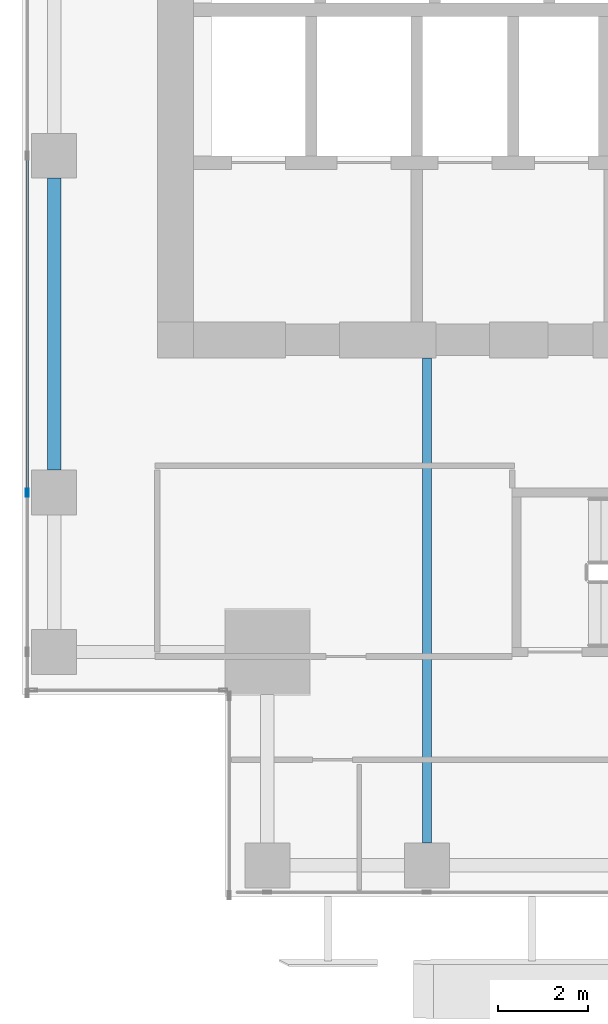
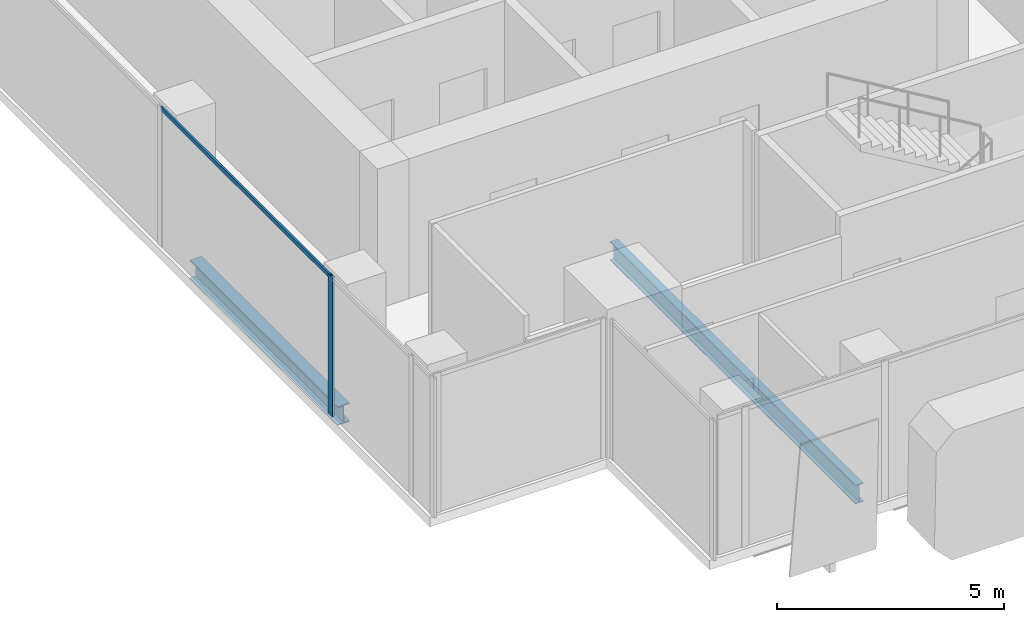
# One storey, part 4 of 40: 2 beams, 2 members, 1 element without a shape of its own.
"""IFC4 building model written with IfcOpenShell, lengths in metres."""

from ifc_helpers import new_model, si_unit, direction, frame, origin, origin_2d, place, context, subcontext, project, spatial, hollow_rectangle, i_section, extrude, source, transform, mapped, material, material_profile, profile_set, type_object, element, aggregate, save


model = new_model("IFC4")

# Units and contexts
model_context = context("Model", 3, precision=1e-05, world=origin(), true_north=direction((0.0, 1.0)))
body_context = subcontext(model_context, "Body", "Model", "MODEL_VIEW")
ifc_project = project(units=[si_unit("LENGTHUNIT", "METRE"), si_unit("AREAUNIT", "SQUARE_METRE"), si_unit("VOLUMEUNIT", "CUBIC_METRE"), si_unit("PLANEANGLEUNIT", "RADIAN"), si_unit("MASSUNIT", "GRAM", prefix="KILO")], contexts=[model_context])

# Site, building, storey
site_placement = place(None, origin())
site = spatial("IfcSite", under=ifc_project, at=site_placement, CompositionType="ELEMENT")
building_placement = place(site_placement, origin())
building = spatial("IfcBuilding", under=site, at=building_placement, Name="Khomas Fold Tower", CompositionType="ELEMENT")
storey_placement = place(building_placement, frame((0.0, 0.0, 180.699951171875)))
storey = spatial("IfcBuildingStorey", under=building, at=storey_placement, Name="L39", CompositionType="ELEMENT", Elevation=180.699951171875)

# Beams
ifc_material_1 = material(Name="Steel S355", Category="steel")
ifc_material_profile_1 = material_profile(ifc_material_1, i_section(OverallWidth=0.300048828125, OverallDepth=0.5, WebThickness=0.014404296875, FlangeThickness=0.028076171875, at=origin_2d()), Name="HE 500 B")
ifc_profile_set_1 = profile_set([ifc_material_profile_1], Name="Steel S355")
beam_type_1 = type_object("IfcBeamType", Name="HE 500 B spandrel SB3", PredefinedType="SPANDREL", material=ifc_profile_set_1)
shared_shape_1 = source(origin(), body_context, "Body", "SweptSolid", [
    extrude(i_section(OverallWidth=0.300048828125, OverallDepth=0.5, WebThickness=0.014404296875, FlangeThickness=0.028076171875, at=origin_2d()), origin(), (0.0, 0.0, 1.0), 6.5),
])
beam_1_placement = place(storey_placement, frame((3.699951171875, 12.5, -0.5), z_axis=(0.0, 1.0, 0.0), x_axis=(-1.0, 0.0, 0.0)))
element("IfcBeam", 1, at=beam_1_placement, inside=storey, type_object=beam_type_1, Name="SB3", PredefinedType="SPANDREL", context=body_context, shape_type="MappedRepresentation", body=[
    mapped(shared_shape_1, transform((0.0, 0.0, 0.0))),
])
ifc_material_2 = material(Name="Steel S355", Category="steel")
ifc_material_profile_2 = material_profile(ifc_material_2, i_section(OverallWidth=0.199951171875, OverallDepth=0.5, WebThickness=0.01025390625, FlangeThickness=0.01611328125, at=origin_2d()), Name="IPE 500")
ifc_profile_set_2 = profile_set([ifc_material_profile_2], Name="Steel S355")
beam_type_2 = type_object("IfcBeamType", Name="IPE 500 beam JB5", PredefinedType="BEAM", material=ifc_profile_set_2)
shared_shape_2 = source(origin(), body_context, "Body", "SweptSolid", [
    extrude(i_section(OverallWidth=0.199951171875, OverallDepth=0.5, WebThickness=0.01025390625, FlangeThickness=0.01611328125, at=origin_2d()), origin(), (0.0, 0.0, 1.0), 10.800048828125),
])
beam_2_placement = place(storey_placement, frame((12.0, 4.199951171875, -0.5), z_axis=(0.0, 1.0, 0.0), x_axis=(-1.0, 0.0, 0.0)))
element("IfcBeam", 2, at=beam_2_placement, inside=storey, type_object=beam_type_2, Name="JB5", PredefinedType="BEAM", context=body_context, shape_type="MappedRepresentation", body=[
    mapped(shared_shape_2, transform((0.0, 0.0, 0.0))),
])

# Curtain wall, members
ifc_material_3 = material(Name="Aluminium framed double glazing", Category="aluminium")
curtain_wall_type = type_object("IfcCurtainWallType", Name="SK-Unitised clear-glass wall, office floors CW2", PredefinedType="NOTDEFINED", material=ifc_material_3)
curtain_wall_placement = place(storey_placement, origin())
curtain_wall = element("IfcCurtainWall", 3, at=curtain_wall_placement, inside=storey, type_object=curtain_wall_type, Name="CW2 run L39 18-0", PredefinedType="NOTDEFINED")
ifc_material_4 = material(Name="Aluminium", Category="aluminium")
ifc_material_profile_3 = material_profile(ifc_material_4, hollow_rectangle(XDim=0.06005859375, YDim=0.179931640625, WallThickness=0.00390625, at=origin_2d()), Name="SK-Unitised clear-glass wall, office floors mullion CW2-M")
ifc_profile_set_3 = profile_set([ifc_material_profile_3], Name="Aluminium")
member_type_1 = type_object("IfcMemberType", Name="SK-Unitised clear-glass wall, office floors mullion CW2-M", PredefinedType="MULLION", material=ifc_profile_set_3)
shared_shape_3 = source(origin(), body_context, "Body", "SweptSolid", [
    extrude(hollow_rectangle(XDim=0.06005859375, YDim=0.179931640625, WallThickness=0.00390625, at=origin_2d()), origin(), (0.0, 0.0, 1.0), 3.75),
])
member_1_placement = place(storey_placement, frame((3.10009765625, 12.0, 0.0), z_axis=(0.0, 0.0, 1.0), x_axis=(1.0, 0.0, 0.0)))
member_1 = element("IfcMember", 4, at=member_1_placement, type_object=member_type_1, Name="CW2 mullion 7", PredefinedType="MULLION", context=body_context, shape_type="MappedRepresentation", body=[
    mapped(shared_shape_3, transform((0.0, 0.0, 0.0))),
])
ifc_material_5 = material(Name="Aluminium", Category="aluminium")
ifc_material_profile_4 = material_profile(ifc_material_5, hollow_rectangle(XDim=0.050048828125, YDim=0.110107421875, WallThickness=0.00390625, at=origin_2d()), Name="SK-Unitised clear-glass wall, office floors transom CW2-T")
ifc_profile_set_4 = profile_set([ifc_material_profile_4], Name="Aluminium")
member_type_2 = type_object("IfcMemberType", Name="SK-Unitised clear-glass wall, office floors transom CW2-T", PredefinedType="USERDEFINED", material=ifc_profile_set_4)
shared_shape_4 = source(origin(), body_context, "Body", "SweptSolid", [
    extrude(hollow_rectangle(XDim=0.050048828125, YDim=0.110107421875, WallThickness=0.00390625, at=origin_2d()), origin(), (0.0, 0.0, 1.0), 7.43994140625),
])
member_2_placement = place(storey_placement, frame((3.10009765625, 19.469970703125, 3.695068359375), z_axis=(0.0, -1.0, 0.0), x_axis=(1.0, 0.0, 0.0)))
member_2 = element("IfcMember", 5, at=member_2_placement, type_object=member_type_2, Name="CW2 transom 6", ObjectType="TRANSOM", PredefinedType="USERDEFINED", context=body_context, shape_type="MappedRepresentation", body=[
    mapped(shared_shape_4, transform((0.0, 0.0, 0.0))),
])
aggregate(curtain_wall, [member_1, member_2])

save(model, "model.ifc")
